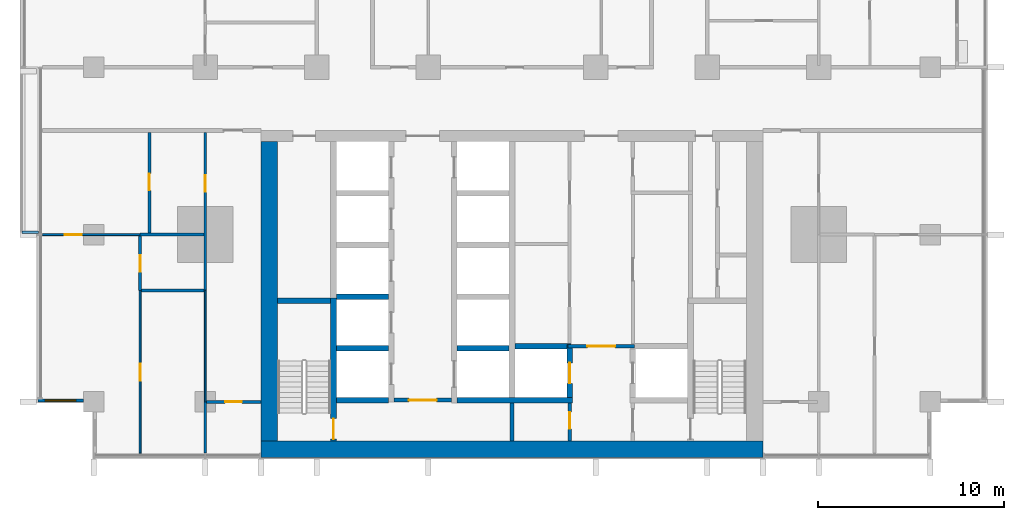
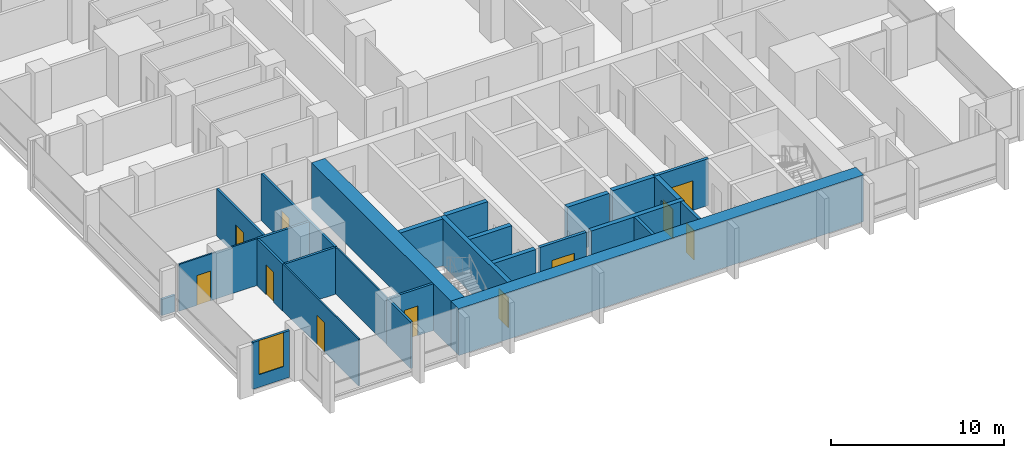
# One storey, part 7 of 17: 27 walls, 11 doors, 1 window, 12 openings.
"""IFC4 building model written with IfcOpenShell, lengths in metres."""

from ifc_helpers import new_model, si_unit, direction, frame, frame_2d, origin, place, context, subcontext, project, spatial, rectangle, extrude, material, layer, layer_set, type_object, element, fill, save


model = new_model("IFC4")

# Units and contexts
model_context = context("Model", 3, precision=1e-05, world=origin(), true_north=direction((0.0, 1.0)))
body_context = subcontext(model_context, "Body", "Model", "MODEL_VIEW")
ifc_project = project(units=[si_unit("LENGTHUNIT", "METRE"), si_unit("AREAUNIT", "SQUARE_METRE"), si_unit("VOLUMEUNIT", "CUBIC_METRE"), si_unit("PLANEANGLEUNIT", "RADIAN"), si_unit("MASSUNIT", "GRAM", prefix="KILO")], contexts=[model_context])

# Site, building, storey
site_placement = place(None, origin())
site = spatial("IfcSite", under=ifc_project, at=site_placement, CompositionType="ELEMENT")
building_placement = place(site_placement, origin())
building = spatial("IfcBuilding", under=site, at=building_placement, Name="Finial Court Residences", CompositionType="ELEMENT")
storey_placement = place(building_placement, frame((0.0, 0.0, 64.89990234375)))
storey = spatial("IfcBuildingStorey", under=building, at=storey_placement, Name="L15", CompositionType="ELEMENT", Elevation=64.89990234375)

# Walls
ifc_material_1 = material(Name="Concrete C80/95", Category="concrete")
ifc_layer_1 = layer(ifc_material_1, 0.89990234375)
ifc_layer_set_1 = layer_set([ifc_layer_1], Name="Core outer wall 900 Concrete C80/95")
wall_type_1 = type_object("IfcWallType", Name="Core outer wall 900 Concrete C80/95", PredefinedType="SHEAR", material=ifc_layer_set_1)
wall_1_placement = place(storey_placement, frame((-13.050048828125, -24.60009765625, 0.0), z_axis=(0.0, 0.0, 1.0), x_axis=(0.0, 1.0, 0.0)))
element("IfcWall", 1, at=wall_1_placement, inside=storey, type_object=wall_type_1, Name="Core outer wall L15-03", PredefinedType="SHEAR", context=body_context, shape_type="SweptSolid", body=[
    extrude(rectangle(XDim=16.10009765625, YDim=0.89990234375, at=frame_2d((8.050048828125, 0.0))), origin(), (0.0, 0.0, 1.0), 3.300048828125),
])
ifc_layer_2 = layer(ifc_material_1, 0.89990234375)
ifc_layer_set_2 = layer_set([ifc_layer_2], Name="Core south facade wall 900 Concrete C80/95")
wall_type_2 = type_object("IfcWallType", Name="Core south facade wall 900 Concrete C80/95", PredefinedType="SHEAR", material=ifc_layer_set_2)
wall_2_placement = place(storey_placement, frame((-13.5, -25.050048828125, 0.0), z_axis=(0.0, 0.0, 1.0), x_axis=(1.0, 0.0, 0.0)))
element("IfcWall", 2, at=wall_2_placement, inside=storey, type_object=wall_type_2, Name="Core outer wall L15-01", PredefinedType="SHEAR", context=body_context, shape_type="SweptSolid", body=[
    extrude(rectangle(XDim=27.0, YDim=0.89990234375, at=frame_2d((13.5, 0.0))), origin(), (0.0, 0.0, 1.0), 3.300048828125),
])

# Wall, opening, door
ifc_material_2 = material(Name="Fire-rated gypsum board partition")
ifc_layer_3 = layer(ifc_material_2, 0.199951171875)
ifc_layer_set_3 = layer_set([ifc_layer_3], Name="Firefighting lobby wall 200 EI 120")
wall_type_3 = type_object("IfcWallType", Name="Firefighting lobby wall 200 EI 120", PredefinedType="PARTITIONING", material=ifc_layer_set_3)
wall_3_placement = place(storey_placement, frame((6.574951171875, -19.5, 0.0), z_axis=(0.0, 0.0, 1.0), x_axis=(-1.0, 0.0, 0.0)))
wall_3 = element("IfcWall", 3, at=wall_3_placement, inside=storey, type_object=wall_type_3, Name="Core partition L15-08", PredefinedType="PARTITIONING", context=body_context, shape_type="SweptSolid", body=[
    extrude(rectangle(XDim=3.550048828125, YDim=0.199951171875, at=frame_2d((1.77490234375, 0.0))), origin(), (0.0, 0.0, 1.0), 3.300048828125),
])
opening_1_placement = place(wall_3_placement, frame((1.02490234375, 0.0, 0.0)))
opening_1 = element("IfcOpeningElement", 4, at=opening_1_placement, cuts=wall_3, Name="Opening L15-C02", PredefinedType="OPENING", context=body_context, shape_type="SweptSolid", body=[
    extrude(rectangle(XDim=1.5, YDim=2.10009765625, at=frame_2d((0.75, 1.050048828125))), frame((0.0, 0.10986328125, 0.0), z_axis=(0.0, -1.0, 0.0), x_axis=(1.0, 0.0, 0.0)), (0.0, 0.0, 1.0), 0.219970703125),
])
ifc_material_3 = material(Name="Steel fire door", Category="steel")
door_type_1 = type_object("IfcDoorType", Name="Firefighting lobby door 1500 x 2100 EI 90", OperationType="DOUBLE_DOOR_SINGLE_SWING", PredefinedType="DOOR", material=ifc_material_3)
door_1_placement = place(opening_1_placement, origin())
door_1 = element("IfcDoor", 5, at=door_1_placement, inside=storey, type_object=door_type_1, Name="Firefighting lobby door L15-C02", OperationType="DOUBLE_DOOR_SINGLE_SWING", OverallHeight=2.10009765625, OverallWidth=1.5, PredefinedType="DOOR", context=body_context, shape_type="SweptSolid", body=[
    extrude(rectangle(XDim=1.5, YDim=2.10009765625, at=frame_2d((0.75, 1.050048828125))), frame((0.0, 0.02490234375, 0.0), z_axis=(0.0, -1.0, 0.0), x_axis=(1.0, 0.0, 0.0)), (0.0, 0.0, 1.0), 0.050048828125),
])
fill(opening_1, door_1)

wall_4_placement = place(storey_placement, frame((3.10009765625, -24.60009765625, 0.0), z_axis=(0.0, 0.0, 1.0), x_axis=(0.0, 1.0, 0.0)))
wall_4 = element("IfcWall", 6, at=wall_4_placement, inside=storey, type_object=wall_type_3, Name="Core partition L15-27", PredefinedType="PARTITIONING", context=body_context, shape_type="SweptSolid", body=[
    extrude(rectangle(XDim=2.050048828125, YDim=0.199951171875, at=frame_2d((1.02490234375, 0.0))), origin(), (0.0, 0.0, 1.0), 3.300048828125),
])
opening_2_placement = place(wall_4_placement, frame((0.64990234375, 0.0, 0.0)))
opening_2 = element("IfcOpeningElement", 7, at=opening_2_placement, cuts=wall_4, Name="Opening L15-C06", PredefinedType="OPENING", context=body_context, shape_type="SweptSolid", body=[
    extrude(rectangle(XDim=0.89990234375, YDim=2.10009765625, at=frame_2d((0.449951171875, 1.050048828125))), frame((0.0, 0.10986328125, 0.0), z_axis=(0.0, -1.0, 0.0), x_axis=(1.0, 0.0, 0.0)), (0.0, 0.0, 1.0), 0.219970703125),
])
door_type_2 = type_object("IfcDoorType", Name="Riser room door 900 x 2100 EI 90", OperationType="NOTDEFINED", PredefinedType="DOOR", material=ifc_material_3)
door_2_placement = place(opening_2_placement, origin())
door_2 = element("IfcDoor", 8, at=door_2_placement, inside=storey, type_object=door_type_2, Name="Riser room door L15-C06", OperationType="SINGLE_SWING_LEFT", OverallHeight=2.10009765625, OverallWidth=0.89990234375, PredefinedType="DOOR", context=body_context, shape_type="SweptSolid", body=[
    extrude(rectangle(XDim=0.89990234375, YDim=2.10009765625, at=frame_2d((0.449951171875, 1.050048828125))), frame((0.0, 0.02490234375, 0.0), z_axis=(0.0, -1.0, 0.0), x_axis=(1.0, 0.0, 0.0)), (0.0, 0.0, 1.0), 0.050048828125),
])
fill(opening_2, door_2)

ifc_material_4 = material(Name="Gypsum board")
ifc_layer_4 = layer(ifc_material_4, 0.012451171875)
ifc_material_5 = material(Name="Mineral wool in light-gauge frame")
ifc_layer_5 = layer(ifc_material_5, 0.074951171875)
ifc_layer_6 = layer(ifc_material_4, 0.012451171875)
ifc_layer_set_4 = layer_set([ifc_layer_4, ifc_layer_5, ifc_layer_6], Name="Gypsum board partition 100")
wall_type_4 = type_object("IfcWallType", Name="Gypsum board partition 100", PredefinedType="PARTITIONING", material=ifc_layer_set_4)
wall_5_placement = place(storey_placement, frame((-25.25, -13.5, 0.0), z_axis=(0.0, 0.0, 1.0), x_axis=(1.0, 0.0, 0.0)))
wall_5 = element("IfcWall", 9, at=wall_5_placement, inside=storey, type_object=wall_type_4, Name="Partition L15-003", PredefinedType="PARTITIONING", context=body_context, shape_type="SweptSolid", body=[
    extrude(rectangle(XDim=5.25, YDim=0.10009765625, at=frame_2d((2.625, 0.0))), origin(), (0.0, 0.0, 1.0), 3.300048828125),
])
opening_3_placement = place(wall_5_placement, frame((1.199951171875, 0.0, 0.0)))
opening_3 = element("IfcOpeningElement", 10, at=opening_3_placement, cuts=wall_5, Name="Opening L15-D003", PredefinedType="OPENING", context=body_context, shape_type="SweptSolid", body=[
    extrude(rectangle(XDim=0.89990234375, YDim=2.10009765625, at=frame_2d((0.449951171875, 1.050048828125))), frame((0.0, 0.06005859375, 0.0), z_axis=(0.0, -1.0, 0.0), x_axis=(1.0, 0.0, 0.0)), (0.0, 0.0, 1.0), 0.1201171875),
])
ifc_material_6 = material(Name="Timber door leaf in timber frame", Category="wood")
door_type_3 = type_object("IfcDoorType", Name="Door set 900 x 2100", OperationType="SINGLE_SWING_LEFT", PredefinedType="DOOR", material=ifc_material_6)
door_3_placement = place(opening_3_placement, origin())
door_3 = element("IfcDoor", 11, at=door_3_placement, inside=storey, type_object=door_type_3, Name="Door L15-D003", OperationType="SINGLE_SWING_LEFT", OverallHeight=2.10009765625, OverallWidth=0.89990234375, PredefinedType="DOOR", context=body_context, shape_type="SweptSolid", body=[
    extrude(rectangle(XDim=0.89990234375, YDim=2.10009765625, at=frame_2d((0.449951171875, 1.050048828125))), frame((0.0, 0.02490234375, 0.0), z_axis=(0.0, -1.0, 0.0), x_axis=(1.0, 0.0, 0.0)), (0.0, 0.0, 1.0), 0.050048828125),
])
fill(opening_3, door_3)

wall_6_placement = place(storey_placement, frame((-20.0, -25.25, 0.0), z_axis=(0.0, 0.0, 1.0), x_axis=(0.0, 1.0, 0.0)))
wall_6 = element("IfcWall", 12, at=wall_6_placement, inside=storey, type_object=wall_type_4, Name="Partition L15-045", PredefinedType="PARTITIONING", context=body_context, shape_type="SweptSolid", body=[
    extrude(rectangle(XDim=8.75, YDim=0.10009765625, at=frame_2d((4.375, 0.0))), origin(), (0.0, 0.0, 1.0), 3.300048828125),
])
opening_4_placement = place(wall_6_placement, frame((3.89990234375, 0.0, 0.0)))
opening_4 = element("IfcOpeningElement", 13, at=opening_4_placement, cuts=wall_6, Name="Opening L15-D033", PredefinedType="OPENING", context=body_context, shape_type="SweptSolid", body=[
    extrude(rectangle(XDim=0.89990234375, YDim=2.10009765625, at=frame_2d((0.449951171875, 1.050048828125))), frame((0.0, 0.06005859375, 0.0), z_axis=(0.0, -1.0, 0.0), x_axis=(1.0, 0.0, 0.0)), (0.0, 0.0, 1.0), 0.1201171875),
])
door_4_placement = place(opening_4_placement, origin())
door_4 = element("IfcDoor", 14, at=door_4_placement, inside=storey, type_object=door_type_3, Name="Door L15-D033", OperationType="SINGLE_SWING_LEFT", OverallHeight=2.10009765625, OverallWidth=0.89990234375, PredefinedType="DOOR", context=body_context, shape_type="SweptSolid", body=[
    extrude(rectangle(XDim=0.89990234375, YDim=2.10009765625, at=frame_2d((0.449951171875, 1.050048828125))), frame((0.0, 0.02490234375, 0.0), z_axis=(0.0, -1.0, 0.0), x_axis=(1.0, 0.0, 0.0)), (0.0, 0.0, 1.0), 0.050048828125),
])
fill(opening_4, door_4)

# Wall
wall_7_placement = place(storey_placement, frame((-16.5, -22.5, 0.0), z_axis=(0.0, 0.0, 1.0), x_axis=(0.0, 1.0, 0.0)))
element("IfcWall", 15, at=wall_7_placement, inside=storey, type_object=wall_type_4, Name="Partition L15-049", PredefinedType="PARTITIONING", context=body_context, shape_type="SweptSolid", body=[
    extrude(rectangle(XDim=6.0, YDim=0.10009765625, at=frame_2d((3.0, 0.0))), origin(), (0.0, 0.0, 1.0), 3.300048828125),
])

# Wall, opening, door
ifc_material_7 = material(Name="Moisture-resistant gypsum board")
ifc_layer_7 = layer(ifc_material_7, 0.012451171875)
ifc_layer_8 = layer(ifc_material_5, 0.125)
ifc_layer_9 = layer(ifc_material_7, 0.012451171875)
ifc_layer_set_5 = layer_set([ifc_layer_7, ifc_layer_8, ifc_layer_9], Name="Gypsum board wet-area partition 150")
wall_type_5 = type_object("IfcWallType", Name="Gypsum board wet-area partition 150", PredefinedType="PARTITIONING", material=ifc_layer_set_5)
wall_8_placement = place(storey_placement, frame((-16.425048828125, -22.5, 0.0), z_axis=(0.0, 0.0, 1.0), x_axis=(1.0, 0.0, 0.0)))
wall_8 = element("IfcWall", 16, at=wall_8_placement, inside=storey, type_object=wall_type_5, Name="Partition L15-000", PredefinedType="PARTITIONING", context=body_context, shape_type="SweptSolid", body=[
    extrude(rectangle(XDim=2.925048828125, YDim=0.14990234375, at=frame_2d((1.46240234375, 0.0))), origin(), (0.0, 0.0, 1.0), 3.300048828125),
])
opening_5_placement = place(wall_8_placement, frame((1.0, 0.0, 0.0)))
opening_5 = element("IfcOpeningElement", 17, at=opening_5_placement, cuts=wall_8, Name="Opening L15-D001", PredefinedType="OPENING", context=body_context, shape_type="SweptSolid", body=[
    extrude(rectangle(XDim=0.89990234375, YDim=2.10009765625, at=frame_2d((0.449951171875, 1.050048828125))), frame((0.0, 0.0849609375, 0.0), z_axis=(0.0, -1.0, 0.0), x_axis=(1.0, 0.0, 0.0)), (0.0, 0.0, 1.0), 0.169921875),
])
door_5_placement = place(opening_5_placement, origin())
door_5 = element("IfcDoor", 18, at=door_5_placement, inside=storey, type_object=door_type_3, Name="Door L15-D001", OperationType="SINGLE_SWING_RIGHT", OverallHeight=2.10009765625, OverallWidth=0.89990234375, PredefinedType="DOOR", context=body_context, shape_type="SweptSolid", body=[
    extrude(rectangle(XDim=0.89990234375, YDim=2.10009765625, at=frame_2d((0.449951171875, 1.050048828125))), frame((0.0, 0.02490234375, 0.0), z_axis=(0.0, -1.0, 0.0), x_axis=(1.0, 0.0, 0.0)), (0.0, 0.0, 1.0), 0.050048828125),
])
fill(opening_5, door_5)

# Walls
wall_9_placement = place(storey_placement, frame((-19.925048828125, -16.5, 0.0), z_axis=(0.0, 0.0, 1.0), x_axis=(1.0, 0.0, 0.0)))
element("IfcWall", 19, at=wall_9_placement, inside=storey, type_object=wall_type_5, Name="Partition L15-002", PredefinedType="PARTITIONING", context=body_context, shape_type="SweptSolid", body=[
    extrude(rectangle(XDim=3.35009765625, YDim=0.14990234375, at=frame_2d((1.675048828125, 0.0))), origin(), (0.0, 0.0, 1.0), 3.300048828125),
])
wall_10_placement = place(storey_placement, frame((-20.0, -13.5, 0.0), z_axis=(0.0, 0.0, 1.0), x_axis=(1.0, 0.0, 0.0)))
element("IfcWall", 20, at=wall_10_placement, inside=storey, type_object=wall_type_5, Name="Partition L15-005", PredefinedType="PARTITIONING", context=body_context, shape_type="SweptSolid", body=[
    extrude(rectangle(XDim=3.425048828125, YDim=0.14990234375, at=frame_2d((1.71240234375, 0.0))), origin(), (0.0, 0.0, 1.0), 3.300048828125),
])

# Wall, opening, door
wall_11_placement = place(storey_placement, frame((-20.0, -16.5, 0.0), z_axis=(0.0, 0.0, 1.0), x_axis=(0.0, 1.0, 0.0)))
wall_11 = element("IfcWall", 21, at=wall_11_placement, inside=storey, type_object=wall_type_5, Name="Partition L15-046", PredefinedType="PARTITIONING", context=body_context, shape_type="SweptSolid", body=[
    extrude(rectangle(XDim=2.925048828125, YDim=0.14990234375, at=frame_2d((1.46240234375, 0.0))), origin(), (0.0, 0.0, 1.0), 3.300048828125),
])
opening_6_placement = place(wall_11_placement, frame((1.0, 0.0, 0.0)))
opening_6 = element("IfcOpeningElement", 22, at=opening_6_placement, cuts=wall_11, Name="Opening L15-D034", PredefinedType="OPENING", context=body_context, shape_type="SweptSolid", body=[
    extrude(rectangle(XDim=0.89990234375, YDim=2.10009765625, at=frame_2d((0.449951171875, 1.050048828125))), frame((0.0, 0.0849609375, 0.0), z_axis=(0.0, -1.0, 0.0), x_axis=(1.0, 0.0, 0.0)), (0.0, 0.0, 1.0), 0.169921875),
])
door_6_placement = place(opening_6_placement, origin())
door_6 = element("IfcDoor", 23, at=door_6_placement, inside=storey, type_object=door_type_3, Name="Door L15-D034", OperationType="SINGLE_SWING_LEFT", OverallHeight=2.10009765625, OverallWidth=0.89990234375, PredefinedType="DOOR", context=body_context, shape_type="SweptSolid", body=[
    extrude(rectangle(XDim=0.89990234375, YDim=2.10009765625, at=frame_2d((0.449951171875, 1.050048828125))), frame((0.0, 0.02490234375, 0.0), z_axis=(0.0, -1.0, 0.0), x_axis=(1.0, 0.0, 0.0)), (0.0, 0.0, 1.0), 0.050048828125),
])
fill(opening_6, door_6)

wall_12_placement = place(storey_placement, frame((-19.5, -13.425048828125, 0.0), z_axis=(0.0, 0.0, 1.0), x_axis=(0.0, 1.0, 0.0)))
wall_12 = element("IfcWall", 24, at=wall_12_placement, inside=storey, type_object=wall_type_5, Name="Partition L15-047", PredefinedType="PARTITIONING", context=body_context, shape_type="SweptSolid", body=[
    extrude(rectangle(XDim=5.425048828125, YDim=0.14990234375, at=frame_2d((2.71240234375, 0.0))), origin(), (0.0, 0.0, 1.0), 3.300048828125),
])
opening_7_placement = place(wall_12_placement, frame((2.300048828125, 0.0, 0.0)))
opening_7 = element("IfcOpeningElement", 25, at=opening_7_placement, cuts=wall_12, Name="Opening L15-D035", PredefinedType="OPENING", context=body_context, shape_type="SweptSolid", body=[
    extrude(rectangle(XDim=0.89990234375, YDim=2.10009765625, at=frame_2d((0.449951171875, 1.050048828125))), frame((0.0, 0.0849609375, 0.0), z_axis=(0.0, -1.0, 0.0), x_axis=(1.0, 0.0, 0.0)), (0.0, 0.0, 1.0), 0.169921875),
])
door_7_placement = place(opening_7_placement, origin())
door_7 = element("IfcDoor", 26, at=door_7_placement, inside=storey, type_object=door_type_3, Name="Door L15-D035", OperationType="SINGLE_SWING_LEFT", OverallHeight=2.10009765625, OverallWidth=0.89990234375, PredefinedType="DOOR", context=body_context, shape_type="SweptSolid", body=[
    extrude(rectangle(XDim=0.89990234375, YDim=2.10009765625, at=frame_2d((0.449951171875, 1.050048828125))), frame((0.0, 0.02490234375, 0.0), z_axis=(0.0, -1.0, 0.0), x_axis=(1.0, 0.0, 0.0)), (0.0, 0.0, 1.0), 0.050048828125),
])
fill(opening_7, door_7)

# Wall
wall_13_placement = place(storey_placement, frame((-16.5, -25.25, 0.0), z_axis=(0.0, 0.0, 1.0), x_axis=(0.0, 1.0, 0.0)))
element("IfcWall", 27, at=wall_13_placement, inside=storey, type_object=wall_type_5, Name="Partition L15-055", PredefinedType="PARTITIONING", context=body_context, shape_type="SweptSolid", body=[
    extrude(rectangle(XDim=2.75, YDim=0.14990234375, at=frame_2d((1.375, 0.0))), origin(), (0.0, 0.0, 1.0), 3.300048828125),
])

# Wall, opening, door
wall_14_placement = place(storey_placement, frame((-16.5, -16.5, 0.0), z_axis=(0.0, 0.0, 1.0), x_axis=(0.0, 1.0, 0.0)))
wall_14 = element("IfcWall", 28, at=wall_14_placement, inside=storey, type_object=wall_type_5, Name="Partition L15-056", PredefinedType="PARTITIONING", context=body_context, shape_type="SweptSolid", body=[
    extrude(rectangle(XDim=8.5, YDim=0.14990234375, at=frame_2d((4.25, 0.0))), origin(), (0.0, 0.0, 1.0), 3.300048828125),
])
opening_8_placement = place(wall_14_placement, frame((5.300048828125, 0.0, 0.0)))
opening_8 = element("IfcOpeningElement", 29, at=opening_8_placement, cuts=wall_14, Name="Opening L15-D039", PredefinedType="OPENING", context=body_context, shape_type="SweptSolid", body=[
    extrude(rectangle(XDim=0.89990234375, YDim=2.10009765625, at=frame_2d((0.449951171875, 1.050048828125))), frame((0.0, 0.0849609375, 0.0), z_axis=(0.0, -1.0, 0.0), x_axis=(1.0, 0.0, 0.0)), (0.0, 0.0, 1.0), 0.169921875),
])
door_8_placement = place(opening_8_placement, origin())
door_8 = element("IfcDoor", 30, at=door_8_placement, inside=storey, type_object=door_type_3, Name="Door L15-D039", OperationType="SINGLE_SWING_LEFT", OverallHeight=2.10009765625, OverallWidth=0.89990234375, PredefinedType="DOOR", context=body_context, shape_type="SweptSolid", body=[
    extrude(rectangle(XDim=0.89990234375, YDim=2.10009765625, at=frame_2d((0.449951171875, 1.050048828125))), frame((0.0, 0.02490234375, 0.0), z_axis=(0.0, -1.0, 0.0), x_axis=(1.0, 0.0, 0.0)), (0.0, 0.0, 1.0), 0.050048828125),
])
fill(opening_8, door_8)

# Walls
ifc_material_8 = material(Name="Concrete C35/45", Category="concrete")
ifc_layer_10 = layer(ifc_material_8, 0.14990234375)
ifc_layer_set_6 = layer_set([ifc_layer_10], Name="Ledge parapet, Concrete C35/45 150")
wall_type_6 = type_object("IfcWallType", Name="Ledge parapet, Concrete C35/45 150", PredefinedType="PARAPET", material=ifc_layer_set_6)
wall_15_placement = place(storey_placement, frame((-25.4599609375, -13.375, 0.0), z_axis=(0.0, 0.0, 1.0), x_axis=(-1.0, 0.0, 0.0)))
element("IfcWall", 31, at=wall_15_placement, inside=storey, type_object=wall_type_6, Name="E-L15-LED2-P1", PredefinedType="PARAPET", context=body_context, shape_type="SweptSolid", body=[
    extrude(rectangle(XDim=0.89013671875, YDim=0.14990234375, at=frame_2d((0.445068359375, 0.0))), origin(), (0.0, 0.0, 1.0), 1.150146484375),
])
ifc_layer_11 = layer(ifc_material_1, 0.300048828125)
ifc_layer_set_7 = layer_set([ifc_layer_11], Name="Lift shaft and stair wall 300 Concrete C80/95")
wall_type_7 = type_object("IfcWallType", Name="Lift shaft and stair wall 300 Concrete C80/95", PredefinedType="SHEAR", material=ifc_layer_set_7)
wall_16_placement = place(storey_placement, frame((-9.449951171875, -22.39990234375, 0.0), z_axis=(0.0, 0.0, 1.0), x_axis=(1.0, 0.0, 0.0)))
element("IfcWall", 32, at=wall_16_placement, inside=storey, type_object=wall_type_7, Name="Core wall L15-01", PredefinedType="SHEAR", context=body_context, shape_type="SweptSolid", body=[
    extrude(rectangle(XDim=2.800048828125, YDim=0.300048828125, at=frame_2d((1.39990234375, 0.0))), origin(), (0.0, 0.0, 1.0), 3.300048828125),
])
wall_17_placement = place(storey_placement, frame((-2.949951171875, -22.39990234375, 0.0), z_axis=(0.0, 0.0, 1.0), x_axis=(1.0, 0.0, 0.0)))
element("IfcWall", 33, at=wall_17_placement, inside=storey, type_object=wall_type_7, Name="Core wall L15-03", PredefinedType="SHEAR", context=body_context, shape_type="SweptSolid", body=[
    extrude(rectangle(XDim=6.199951171875, YDim=0.300048828125, at=frame_2d((3.10009765625, 0.0))), origin(), (0.0, 0.0, 1.0), 3.300048828125),
])
for number, where, z_axis, x_axis, name in (
    (34, (-9.449951171875, -19.6201171875, 0.0), (0.0, 0.0, 1.0), (1.0, 0.0, 0.0), "Core wall L15-05"),
    (35, (-2.949951171875, -19.6201171875, 0.0), (0.0, 0.0, 1.0), (1.0, 0.0, 0.0), "Core wall L15-06"),
):
    element("IfcWall", number, at=place(storey_placement, frame(where, z_axis=z_axis, x_axis=x_axis)), inside=storey, type_object=wall_type_7, Name=name, PredefinedType="SHEAR", context=body_context, shape_type="SweptSolid", body=[
        extrude(rectangle(XDim=2.800048828125, YDim=0.300048828125, at=frame_2d((1.39990234375, 0.0))), origin(), (0.0, 0.0, 1.0), 3.300048828125),
    ])
wall_18_placement = place(storey_placement, frame((0.14990234375, -19.5, 0.0), z_axis=(0.0, 0.0, 1.0), x_axis=(1.0, 0.0, 0.0)))
element("IfcWall", 36, at=wall_18_placement, inside=storey, type_object=wall_type_7, Name="Core wall L15-07", PredefinedType="SHEAR", context=body_context, shape_type="SweptSolid", body=[
    extrude(rectangle(XDim=3.025146484375, YDim=0.300048828125, at=frame_2d((1.5126953125, 0.0))), origin(), (0.0, 0.0, 1.0), 3.300048828125),
])
wall_19_placement = place(storey_placement, frame((-12.60009765625, -17.050048828125, 0.0), z_axis=(0.0, 0.0, 1.0), x_axis=(1.0, 0.0, 0.0)))
element("IfcWall", 37, at=wall_19_placement, inside=storey, type_object=wall_type_7, Name="Core wall L15-10", PredefinedType="SHEAR", context=body_context, shape_type="SweptSolid", body=[
    extrude(rectangle(XDim=2.85009765625, YDim=0.300048828125, at=frame_2d((1.425048828125, 0.0))), origin(), (0.0, 0.0, 1.0), 3.300048828125),
])
wall_20_placement = place(storey_placement, frame((-9.449951171875, -16.840087890625, 0.0), z_axis=(0.0, 0.0, 1.0), x_axis=(1.0, 0.0, 0.0)))
element("IfcWall", 38, at=wall_20_placement, inside=storey, type_object=wall_type_7, Name="Core wall L15-12", PredefinedType="SHEAR", context=body_context, shape_type="SweptSolid", body=[
    extrude(rectangle(XDim=2.800048828125, YDim=0.300048828125, at=frame_2d((1.39990234375, 0.0))), origin(), (0.0, 0.0, 1.0), 3.300048828125),
])

# Wall, opening, door
wall_21_placement = place(storey_placement, frame((-9.60009765625, -24.60009765625, 0.0), z_axis=(0.0, 0.0, 1.0), x_axis=(0.0, 1.0, 0.0)))
wall_21 = element("IfcWall", 39, at=wall_21_placement, inside=storey, type_object=wall_type_7, Name="Core wall L15-21", PredefinedType="SHEAR", context=body_context, shape_type="SweptSolid", body=[
    extrude(rectangle(XDim=7.7001953125, YDim=0.300048828125, at=frame_2d((3.85009765625, 0.0))), origin(), (0.0, 0.0, 1.0), 3.300048828125),
])
opening_9_placement = place(wall_21_placement, frame((0.10009765625, 0.0, 0.0)))
opening_9 = element("IfcOpeningElement", 40, at=opening_9_placement, cuts=wall_21, Name="Opening L15-C15", PredefinedType="OPENING", context=body_context, shape_type="SweptSolid", body=[
    extrude(rectangle(XDim=1.10009765625, YDim=2.10009765625, at=frame_2d((0.550048828125, 1.050048828125))), frame((0.0, 0.159912109375, 0.0), z_axis=(0.0, -1.0, 0.0), x_axis=(1.0, 0.0, 0.0)), (0.0, 0.0, 1.0), 0.320068359375),
])
door_type_4 = type_object("IfcDoorType", Name="Stair door 1100 x 2100 EI 90", OperationType="NOTDEFINED", PredefinedType="DOOR", material=ifc_material_3)
door_9_placement = place(opening_9_placement, origin())
door_9 = element("IfcDoor", 41, at=door_9_placement, inside=storey, type_object=door_type_4, Name="Stair door L15-C15", OperationType="SINGLE_SWING_LEFT", OverallHeight=2.10009765625, OverallWidth=1.10009765625, PredefinedType="DOOR", context=body_context, shape_type="SweptSolid", body=[
    extrude(rectangle(XDim=1.10009765625, YDim=2.10009765625, at=frame_2d((0.550048828125, 1.050048828125))), frame((0.0, 0.02490234375, 0.0), z_axis=(0.0, -1.0, 0.0), x_axis=(1.0, 0.0, 0.0)), (0.0, 0.0, 1.0), 0.050048828125),
])
fill(opening_9, door_9)

wall_22_placement = place(storey_placement, frame((3.10009765625, -22.25, 0.0), z_axis=(0.0, 0.0, 1.0), x_axis=(0.0, 1.0, 0.0)))
wall_22 = element("IfcWall", 42, at=wall_22_placement, inside=storey, type_object=wall_type_7, Name="Core wall L15-28", PredefinedType="SHEAR", context=body_context, shape_type="SweptSolid", body=[
    extrude(rectangle(XDim=2.85009765625, YDim=0.300048828125, at=frame_2d((1.425048828125, 0.0))), origin(), (0.0, 0.0, 1.0), 3.300048828125),
])
opening_10_placement = place(wall_22_placement, frame((0.75, 0.0, 0.0)))
opening_10 = element("IfcOpeningElement", 43, at=opening_10_placement, cuts=wall_22, Name="Opening L15-LD01", PredefinedType="OPENING", context=body_context, shape_type="SweptSolid", body=[
    extrude(rectangle(XDim=1.10009765625, YDim=2.10009765625, at=frame_2d((0.550048828125, 1.050048828125))), frame((0.0, 0.159912109375, 0.0), z_axis=(0.0, -1.0, 0.0), x_axis=(1.0, 0.0, 0.0)), (0.0, 0.0, 1.0), 0.320068359375),
])
ifc_material_9 = material(Name="Stainless steel lift door", Category="steel")
door_type_5 = type_object("IfcDoorType", Name="Lift landing door 1100 x 2100 EI 90", OperationType="DOUBLE_DOOR_SLIDING", PredefinedType="DOOR", material=ifc_material_9)
door_10_placement = place(opening_10_placement, origin())
door_10 = element("IfcDoor", 44, at=door_10_placement, inside=storey, type_object=door_type_5, Name="Lift landing door FF1 L15", OperationType="DOUBLE_DOOR_SLIDING", OverallHeight=2.10009765625, OverallWidth=1.10009765625, PredefinedType="DOOR", context=body_context, shape_type="SweptSolid", body=[
    extrude(rectangle(XDim=1.10009765625, YDim=2.10009765625, at=frame_2d((0.550048828125, 1.050048828125))), frame((0.0, 0.02490234375, 0.0), z_axis=(0.0, -1.0, 0.0), x_axis=(1.0, 0.0, 0.0)), (0.0, 0.0, 1.0), 0.050048828125),
])
fill(opening_10, door_10)

# Wall, opening, window
ifc_material_10 = material(Name="Natural limestone", Category="masonry")
ifc_layer_12 = layer(ifc_material_10, 0.14990234375)
ifc_layer_set_8 = layer_set([ifc_layer_12], Name="Limestone clad wall 150")
wall_type_8 = type_object("IfcWallType", Name="Limestone clad wall 150", PredefinedType="SOLIDWALL", material=ifc_layer_set_8)
wall_23_placement = place(storey_placement, frame((-23.050048828125, -22.425048828125, 0.0), z_axis=(0.0, 0.0, 1.0), x_axis=(-1.0, 0.0, 0.0)))
wall_23 = element("IfcWall", 45, at=wall_23_placement, inside=storey, type_object=wall_type_8, Name="E-L15-NWS14", PredefinedType="SOLIDWALL", context=body_context, shape_type="SweptSolid", body=[
    extrude(rectangle(XDim=2.449951171875, YDim=0.14990234375, at=frame_2d((1.22509765625, 0.0))), origin(), (0.0, 0.0, 1.0), 3.300048828125),
])
opening_11_placement = place(wall_23_placement, frame((0.39990234375, 0.0, 0.89990234375)))
opening_11 = element("IfcOpeningElement", 46, at=opening_11_placement, cuts=wall_23, Name="Opening WE15-02", PredefinedType="OPENING", context=body_context, shape_type="SweptSolid", body=[
    extrude(rectangle(XDim=1.64990234375, YDim=2.39990234375, at=frame_2d((0.824951171875, 1.199951171875))), frame((0.0, 0.0849609375, 0.0), z_axis=(0.0, -1.0, 0.0), x_axis=(1.0, 0.0, 0.0)), (0.0, 0.0, 1.0), 0.169921875),
])
ifc_material_11 = material(Name="Clear low-e glass", Category="glass")
window_type = type_object("IfcWindowType", Name="Corner window 1650 x 2400", PartitioningType="SINGLE_PANEL", PredefinedType="WINDOW", material=ifc_material_11)
window_placement = place(opening_11_placement, origin())
window = element("IfcWindow", 47, at=window_placement, inside=storey, type_object=window_type, Name="E-L15-NWS14-W1", OverallHeight=2.39990234375, OverallWidth=1.64990234375, PartitioningType="SINGLE_PANEL", PredefinedType="WINDOW", context=body_context, shape_type="SweptSolid", body=[
    extrude(rectangle(XDim=1.64990234375, YDim=2.39990234375, at=frame_2d((0.824951171875, 1.199951171875))), frame((0.0, 0.030029296875, 0.0), z_axis=(0.0, -1.0, 0.0), x_axis=(1.0, 0.0, 0.0)), (0.0, 0.0, 1.0), 0.06005859375),
])
fill(opening_11, window)

# Wall
ifc_layer_13 = layer(ifc_material_2, 0.199951171875)
ifc_layer_set_9 = layer_set([ifc_layer_13], Name="Riser room wall 200 EI 120")
wall_type_9 = type_object("IfcWallType", Name="Riser room wall 200 EI 120", PredefinedType="PARTITIONING", material=ifc_layer_set_9)
wall_24_placement = place(storey_placement, frame((0.0, -24.60009765625, 0.0), z_axis=(0.0, 0.0, 1.0), x_axis=(0.0, 1.0, 0.0)))
element("IfcWall", 48, at=wall_24_placement, inside=storey, type_object=wall_type_9, Name="Core partition L15-25", PredefinedType="PARTITIONING", context=body_context, shape_type="SweptSolid", body=[
    extrude(rectangle(XDim=2.050048828125, YDim=0.199951171875, at=frame_2d((1.02490234375, 0.0))), origin(), (0.0, 0.0, 1.0), 3.300048828125),
])

# Wall, opening, door
ifc_layer_14 = layer(ifc_material_2, 0.199951171875)
ifc_layer_set_10 = layer_set([ifc_layer_14], Name="Stair passage wall 200 EI 180")
wall_type_10 = type_object("IfcWallType", Name="Stair passage wall 200 EI 180", PredefinedType="PARTITIONING", material=ifc_layer_set_10)
wall_25_placement = place(storey_placement, frame((-3.25, -22.39990234375, 0.0), z_axis=(0.0, 0.0, 1.0), x_axis=(-1.0, 0.0, 0.0)))
wall_25 = element("IfcWall", 49, at=wall_25_placement, inside=storey, type_object=wall_type_10, Name="Core partition L15-02", PredefinedType="PARTITIONING", context=body_context, shape_type="SweptSolid", body=[
    extrude(rectangle(XDim=3.10009765625, YDim=0.199951171875, at=frame_2d((1.550048828125, 0.0))), origin(), (0.0, 0.0, 1.0), 3.300048828125),
])
opening_12_placement = place(wall_25_placement, frame((0.800048828125, 0.0, 0.0)))
opening_12 = element("IfcOpeningElement", 50, at=opening_12_placement, cuts=wall_25, Name="Opening L15-C03", PredefinedType="OPENING", context=body_context, shape_type="SweptSolid", body=[
    extrude(rectangle(XDim=1.5, YDim=2.10009765625, at=frame_2d((0.75, 1.050048828125))), frame((0.0, 0.10986328125, 0.0), z_axis=(0.0, -1.0, 0.0), x_axis=(1.0, 0.0, 0.0)), (0.0, 0.0, 1.0), 0.219970703125),
])
door_type_6 = type_object("IfcDoorType", Name="Lift lobby door 1500 x 2100 EI 60", OperationType="DOUBLE_DOOR_SINGLE_SWING", PredefinedType="DOOR", material=ifc_material_3)
door_11_placement = place(opening_12_placement, origin())
door_11 = element("IfcDoor", 51, at=door_11_placement, inside=storey, type_object=door_type_6, Name="Lift lobby door L15-C03", OperationType="DOUBLE_DOOR_SINGLE_SWING", OverallHeight=2.10009765625, OverallWidth=1.5, PredefinedType="DOOR", context=body_context, shape_type="SweptSolid", body=[
    extrude(rectangle(XDim=1.5, YDim=2.10009765625, at=frame_2d((0.75, 1.050048828125))), frame((0.0, 0.02490234375, 0.0), z_axis=(0.0, -1.0, 0.0), x_axis=(1.0, 0.0, 0.0)), (0.0, 0.0, 1.0), 0.050048828125),
])
fill(opening_12, door_11)

save(model, "model.ifc")
